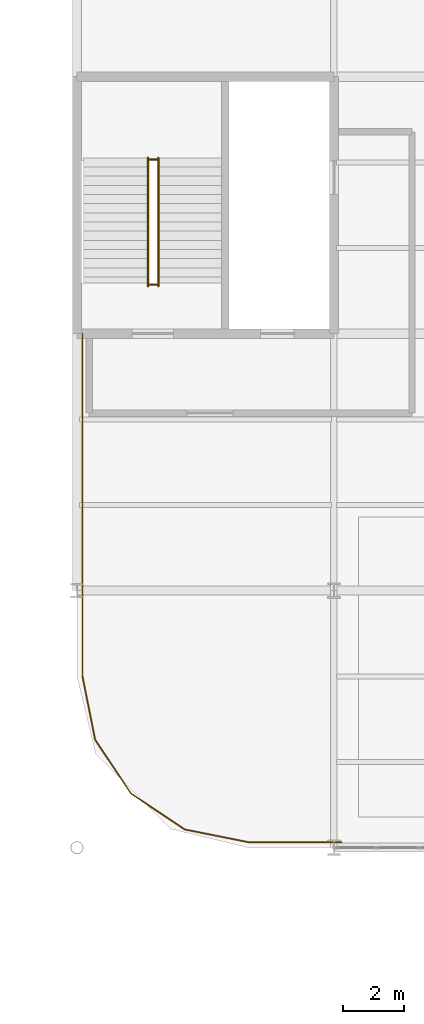
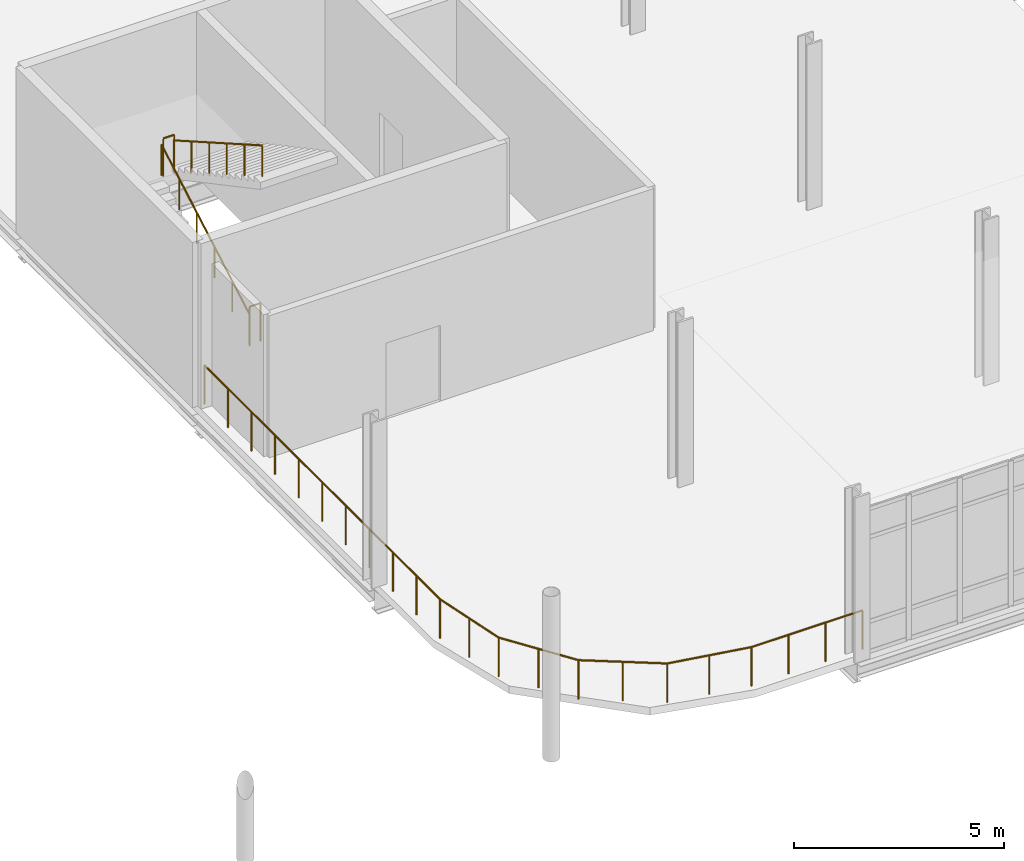
# One storey, part 140 of 145: 5 railings.
"""IFC4 building model written with IfcOpenShell, lengths in metres."""

from ifc_helpers import new_model, si_unit, direction, frame, origin, origin_2d, place, context, subcontext, project, spatial, circle, extrude, material, type_object, element, save


model = new_model("IFC4")

# Units and contexts
model_context = context("Model", 3, precision=1e-05, world=origin(), true_north=direction((0.0, 1.0)))
body_context = subcontext(model_context, "Body", "Model", "MODEL_VIEW")
ifc_project = project(units=[si_unit("LENGTHUNIT", "METRE"), si_unit("AREAUNIT", "SQUARE_METRE"), si_unit("VOLUMEUNIT", "CUBIC_METRE"), si_unit("PLANEANGLEUNIT", "RADIAN"), si_unit("MASSUNIT", "GRAM", prefix="KILO")], contexts=[model_context])

# Site, building, storey
site_placement = place(None, origin())
site = spatial("IfcSite", under=ifc_project, at=site_placement, CompositionType="ELEMENT")
building_placement = place(site_placement, origin())
building = spatial("IfcBuilding", under=site, at=building_placement, Name="Qalvenar Corner Mobility Hub", CompositionType="ELEMENT")
storey_placement = place(building_placement, origin())
storey = spatial("IfcBuildingStorey", under=building, at=storey_placement, Name="L00", CompositionType="ELEMENT", Elevation=0.0)

# Railings
ifc_material_1 = material(Name="Art Nouveau Bronze-Finished Steel Balustrade", Category="steel")
railing_type_1 = type_object("IfcRailingType", Name="RL-GUARD-110", PredefinedType="GUARDRAIL", material=ifc_material_1)
for number, where, name in (
    (1, (61.139892578125, 85.60009765625, 0.0), "Stair Arrival Slot Guard C3-L00"),
    (2, (61.139892578125, 89.699951171875, 2.39990234375), "Stair Half-Landing Well Guard ST3-L00"),
):
    element("IfcRailing", number, at=place(storey_placement, frame(where)), inside=storey, type_object=railing_type_1, Name=name, PredefinedType="GUARDRAIL", context=body_context, shape_type="SweptSolid", body=[
        extrude(circle(Radius=0.02392578125, at=origin_2d()), frame((0.0, 0.0, 1.09619140625), z_axis=(1.0, 0.0, 0.0), x_axis=(0.0, 1.0, 0.0)), (0.0, 0.0, 1.0), 0.300048828125),
        extrude(circle(Radius=0.02099609375, at=origin_2d()), origin(), (0.0, 0.0, 1.0), 1.072021484375),
        extrude(circle(Radius=0.02099609375, at=origin_2d()), frame((0.300048828125, 0.0, 0.0)), (0.0, 0.0, 1.0), 1.072021484375),
    ])
ifc_material_2 = material(Name="Galvanised Steel Deck Edge Barrier", Category="steel")
railing_type_2 = type_object("IfcRailingType", Name="RL-GUARD-115", PredefinedType="GUARDRAIL", material=ifc_material_2)
railing_1_placement = place(storey_placement, frame((58.97998046875, 84.0, 0.0)))
element("IfcRailing", 3, at=railing_1_placement, inside=storey, type_object=railing_type_2, Name="Ground Corner Barrier L00-SW", PredefinedType="GUARDRAIL", context=body_context, shape_type="SweptSolid", body=[
    extrude(circle(Radius=0.02392578125, at=origin_2d()), frame((0.0, 0.0, 1.1259765625), z_axis=(0.0, -1.0, 0.0), x_axis=(1.0, 0.0, 0.0)), (0.0, 0.0, 1.0), 11.199951171875),
    extrude(circle(Radius=0.02392578125, at=origin_2d()), frame((0.0, -11.199951171875, 1.1259765625), z_axis=(0.195094822388, -0.980784385213, 0.0), x_axis=(0.980784385213, 0.195094822388, 0.0)), (0.0, 0.0, 1.0), 2.11474609375),
    extrude(circle(Radius=0.02392578125, at=origin_2d()), frame((0.41259765625, -13.274169921875, 1.1259765625), z_axis=(0.555552469726, -0.831481481082, 0.0), x_axis=(0.831481481082, 0.555552469726, 0.0)), (0.0, 0.0, 1.0), 2.11474609375),
    extrude(circle(Radius=0.02392578125, at=origin_2d()), frame((1.58740234375, -15.032470703125, 1.1259765625), z_axis=(0.831463785586, -0.555578953218, 0.0), x_axis=(0.555578953218, 0.831463785586, 0.0)), (0.0, 0.0, 1.0), 2.114990234375),
    extrude(circle(Radius=0.02392578125, at=origin_2d()), frame((3.345947265625, -16.20751953125, 1.1259765625), z_axis=(0.980779990563, -0.195116913955, 0.0), x_axis=(0.195116913955, 0.980779990563, 0.0)), (0.0, 0.0, 1.0), 2.114501953125),
    extrude(circle(Radius=0.02392578125, at=origin_2d()), frame((5.419921875, -16.6201171875, 1.1259765625), z_axis=(1.0, 0.0, 0.0), x_axis=(0.0, 1.0, 0.0)), (0.0, 0.0, 1.0), 3.050048828125),
    extrude(circle(Radius=0.02099609375, at=origin_2d()), origin(), (0.0, 0.0, 1.0), 1.101806640625),
    extrude(circle(Radius=0.02099609375, at=origin_2d()), frame((0.0, -1.1201171875, 0.0)), (0.0, 0.0, 1.0), 1.101806640625),
    extrude(circle(Radius=0.02099609375, at=origin_2d()), frame((0.0, -2.239990234375, 0.0)), (0.0, 0.0, 1.0), 1.101806640625),
    extrude(circle(Radius=0.02099609375, at=origin_2d()), frame((0.0, -3.35986328125, 0.0)), (0.0, 0.0, 1.0), 1.101806640625),
    extrude(circle(Radius=0.02099609375, at=origin_2d()), frame((0.0, -4.47998046875, 0.0)), (0.0, 0.0, 1.0), 1.101806640625),
    extrude(circle(Radius=0.02099609375, at=origin_2d()), frame((0.0, -5.60009765625, 0.0)), (0.0, 0.0, 1.0), 1.101806640625),
    extrude(circle(Radius=0.02099609375, at=origin_2d()), frame((0.0, -6.719970703125, 0.0)), (0.0, 0.0, 1.0), 1.101806640625),
    extrude(circle(Radius=0.02099609375, at=origin_2d()), frame((0.0, -7.83984375, 0.0)), (0.0, 0.0, 1.0), 1.101806640625),
    extrude(circle(Radius=0.02099609375, at=origin_2d()), frame((0.0, -8.9599609375, 0.0)), (0.0, 0.0, 1.0), 1.101806640625),
    extrude(circle(Radius=0.02099609375, at=origin_2d()), frame((0.0, -10.080078125, 0.0)), (0.0, 0.0, 1.0), 1.101806640625),
    extrude(circle(Radius=0.02099609375, at=origin_2d()), frame((0.0, -11.199951171875, 0.0)), (0.0, 0.0, 1.0), 1.101806640625),
    extrude(circle(Radius=0.02099609375, at=origin_2d()), frame((0.206298828125, -12.237060546875, 0.0)), (0.0, 0.0, 1.0), 1.101806640625),
    extrude(circle(Radius=0.02099609375, at=origin_2d()), frame((0.41259765625, -13.274169921875, 0.0)), (0.0, 0.0, 1.0), 1.101806640625),
    extrude(circle(Radius=0.02099609375, at=origin_2d()), frame((1.0, -14.1533203125, 0.0)), (0.0, 0.0, 1.0), 1.101806640625),
    extrude(circle(Radius=0.02099609375, at=origin_2d()), frame((1.58740234375, -15.032470703125, 0.0)), (0.0, 0.0, 1.0), 1.101806640625),
    extrude(circle(Radius=0.02099609375, at=origin_2d()), frame((2.466796875, -15.6201171875, 0.0)), (0.0, 0.0, 1.0), 1.101806640625),
    extrude(circle(Radius=0.02099609375, at=origin_2d()), frame((3.345947265625, -16.20751953125, 0.0)), (0.0, 0.0, 1.0), 1.101806640625),
    extrude(circle(Radius=0.02099609375, at=origin_2d()), frame((4.3828125, -16.413818359375, 0.0)), (0.0, 0.0, 1.0), 1.101806640625),
    extrude(circle(Radius=0.02099609375, at=origin_2d()), frame((5.419921875, -16.6201171875, 0.0)), (0.0, 0.0, 1.0), 1.101806640625),
    extrude(circle(Radius=0.02099609375, at=origin_2d()), frame((6.4365234375, -16.6201171875, 0.0)), (0.0, 0.0, 1.0), 1.101806640625),
    extrude(circle(Radius=0.02099609375, at=origin_2d()), frame((7.453369140625, -16.6201171875, 0.0)), (0.0, 0.0, 1.0), 1.101806640625),
    extrude(circle(Radius=0.02099609375, at=origin_2d()), frame((8.469970703125, -16.6201171875, 0.0)), (0.0, 0.0, 1.0), 1.101806640625),
])
ifc_material_3 = material(Name="Brushed Stainless Steel Handrail", Category="steel")
railing_type_3 = type_object("IfcRailingType", Name="RL-HAND-092", PredefinedType="HANDRAIL", material=ifc_material_3)
railing_2_placement = place(storey_placement, frame((61.1201171875, 85.550048828125, 0.0)))
element("IfcRailing", 4, at=railing_2_placement, inside=storey, type_object=railing_type_3, Name="Stair Handrail ST3-L00-1", PredefinedType="HANDRAIL", context=body_context, shape_type="SweptSolid", body=[
    extrude(circle(Radius=0.02392578125, at=origin_2d()), frame((0.0, 0.0, 0.89599609375), z_axis=(0.0, 0.868249353848, 0.496128067682), x_axis=(-1.0, 0.0, 0.0)), (0.0, 0.0, 1.0), 4.837158203125),
    extrude(circle(Radius=0.02099609375, at=origin_2d()), origin(), (0.0, 0.0, 1.0), 0.871826171875),
    extrude(circle(Radius=0.02099609375, at=origin_2d()), frame((0.0, 0.840087890625, 0.47998046875)), (0.0, 0.0, 1.0), 0.871826171875),
    extrude(circle(Radius=0.02099609375, at=origin_2d()), frame((0.0, 1.679931640625, 0.9599609375)), (0.0, 0.0, 1.0), 0.871826171875),
    extrude(circle(Radius=0.02099609375, at=origin_2d()), frame((0.0, 2.52001953125, 1.43994140625)), (0.0, 0.0, 1.0), 0.871826171875),
    extrude(circle(Radius=0.02099609375, at=origin_2d()), frame((0.0, 3.35986328125, 1.919921875)), (0.0, 0.0, 1.0), 0.871826171875),
    extrude(circle(Radius=0.02099609375, at=origin_2d()), frame((0.0, 4.199951171875, 2.39990234375)), (0.0, 0.0, 1.0), 0.871826171875),
])
railing_3_placement = place(storey_placement, frame((61.4599609375, 89.75, 2.39990234375)))
element("IfcRailing", 5, at=railing_3_placement, inside=storey, type_object=railing_type_3, Name="Stair Handrail ST3-L00-2", PredefinedType="HANDRAIL", context=body_context, shape_type="SweptSolid", body=[
    extrude(circle(Radius=0.02392578125, at=origin_2d()), frame((0.0, 0.0, 0.89599609375), z_axis=(0.0, -0.868227612608, 0.496166114024), x_axis=(1.0, 0.0, 0.0)), (0.0, 0.0, 1.0), 4.83740234375),
    extrude(circle(Radius=0.02099609375, at=origin_2d()), origin(), (0.0, 0.0, 1.0), 0.871826171875),
    extrude(circle(Radius=0.02099609375, at=origin_2d()), frame((0.0, -0.840087890625, 0.47998046875)), (0.0, 0.0, 1.0), 0.871826171875),
    extrude(circle(Radius=0.02099609375, at=origin_2d()), frame((0.0, -1.679931640625, 0.9599609375)), (0.0, 0.0, 1.0), 0.871826171875),
    extrude(circle(Radius=0.02099609375, at=origin_2d()), frame((0.0, -2.52001953125, 1.440185546875)), (0.0, 0.0, 1.0), 0.871826171875),
    extrude(circle(Radius=0.02099609375, at=origin_2d()), frame((0.0, -3.35986328125, 1.920166015625)), (0.0, 0.0, 1.0), 0.871826171875),
    extrude(circle(Radius=0.02099609375, at=origin_2d()), frame((0.0, -4.199951171875, 2.400146484375)), (0.0, 0.0, 1.0), 0.871826171875),
])

save(model, "model.ifc")
